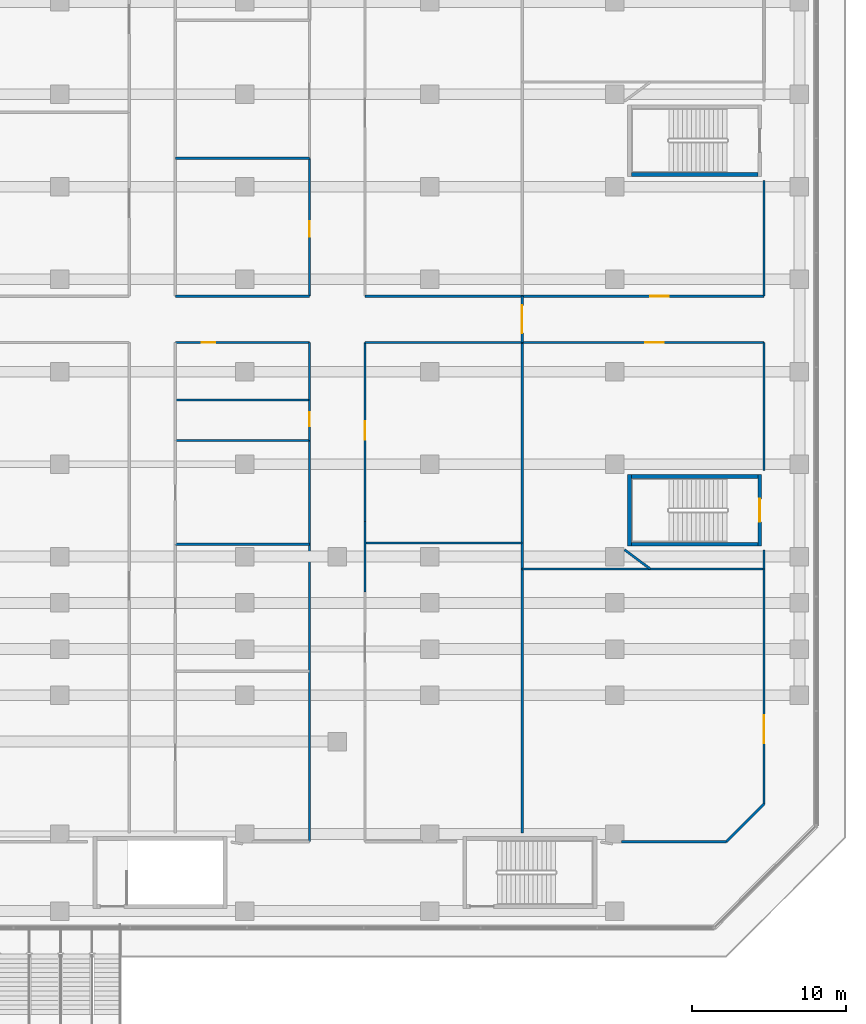
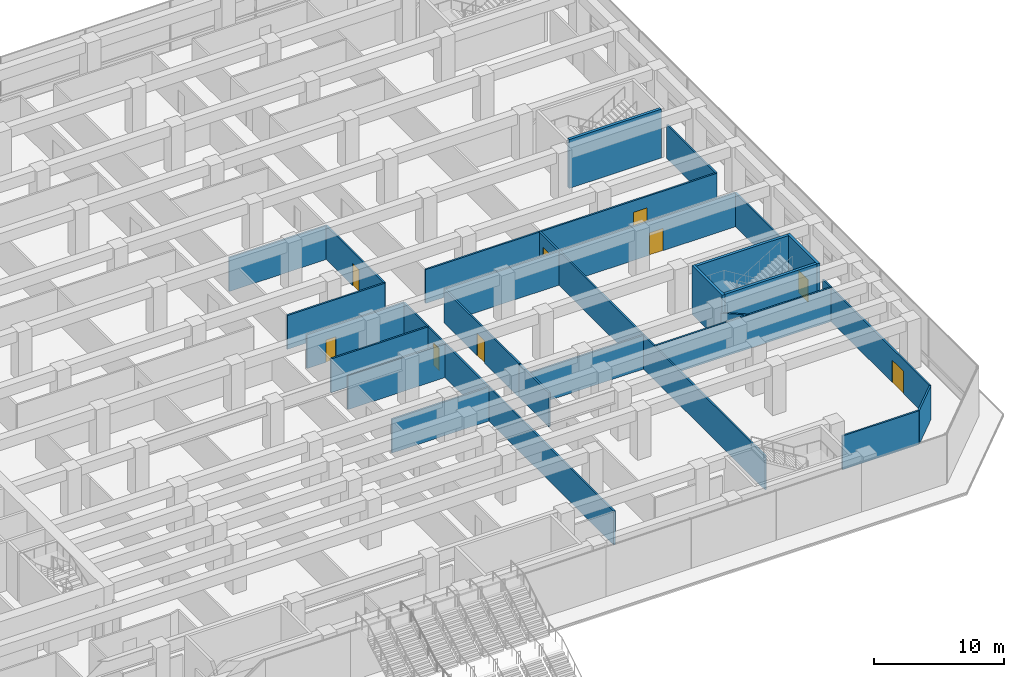
# One storey, part 30 of 40: 32 walls, 9 doors, 9 openings.
"""IFC4 building model written with IfcOpenShell, lengths in metres."""

from ifc_helpers import new_model, si_unit, direction, frame, frame_2d, origin, place, context, subcontext, project, spatial, rectangle, extrude, material, layer, layer_set, type_object, element, fill, save


model = new_model("IFC4")

# Units and contexts
model_context = context("Model", 3, precision=1e-05, world=origin(), true_north=direction((0.0, 1.0)))
body_context = subcontext(model_context, "Body", "Model", "MODEL_VIEW")
ifc_project = project(units=[si_unit("LENGTHUNIT", "METRE"), si_unit("AREAUNIT", "SQUARE_METRE"), si_unit("VOLUMEUNIT", "CUBIC_METRE"), si_unit("PLANEANGLEUNIT", "RADIAN"), si_unit("MASSUNIT", "GRAM", prefix="KILO")], contexts=[model_context])

# Site, building, storey
site_placement = place(None, origin())
site = spatial("IfcSite", under=ifc_project, at=site_placement, CompositionType="ELEMENT")
building_placement = place(site_placement, origin())
building = spatial("IfcBuilding", under=site, at=building_placement, Name="Welwitschia Terrace Campus", CompositionType="ELEMENT")
storey_placement = place(building_placement, frame((0.0, 0.0, 6.0)))
storey = spatial("IfcBuildingStorey", under=building, at=storey_placement, Name="L01", CompositionType="ELEMENT", Elevation=6.0)

# Wall
ifc_material_1 = material(Name="Concrete C50/60", Category="concrete")
ifc_layer_1 = layer(ifc_material_1, 0.25)
ifc_layer_set_1 = layer_set([ifc_layer_1], Name="Concrete C50/60")
wall_type_1 = type_object("IfcWallType", Name="Core wall 250 Concrete C50/60", PredefinedType="SHEAR", material=ifc_layer_set_1)
wall_1_placement = place(storey_placement, frame((84.97509765625, 14.675048828125, 0.0), z_axis=(0.0, 0.0, 1.0), x_axis=(0.0, 1.0, 0.0)))
element("IfcWall", 1, at=wall_1_placement, inside=storey, type_object=wall_type_1, Name="Core wall", PredefinedType="SHEAR", context=body_context, shape_type="SweptSolid", body=[
    extrude(rectangle(XDim=4.64990234375, YDim=0.25, at=frame_2d((2.324951171875, 0.0))), origin(), (0.0, 0.0, 1.0), 4.60009765625),
])

# Wall, opening, door
wall_2_placement = place(storey_placement, frame((93.425048828125, 19.324951171875, 0.0), z_axis=(0.0, 0.0, 1.0), x_axis=(0.0, -1.0, 0.0)))
wall_2 = element("IfcWall", 2, at=wall_2_placement, inside=storey, type_object=wall_type_1, Name="Core wall", PredefinedType="SHEAR", context=body_context, shape_type="SweptSolid", body=[
    extrude(rectangle(XDim=4.64990234375, YDim=0.25, at=frame_2d((2.324951171875, 0.0))), origin(), (0.0, 0.0, 1.0), 4.60009765625),
])
opening_1_placement = place(wall_2_placement, frame((1.574951171875, 0.0, 0.0)))
opening_1 = element("IfcOpeningElement", 3, at=opening_1_placement, cuts=wall_2, Name="Opening DS15", PredefinedType="OPENING", context=body_context, shape_type="SweptSolid", body=[
    extrude(rectangle(XDim=1.5, YDim=2.10009765625, at=frame_2d((0.75, 1.050048828125))), frame((0.0, 0.135009765625, 0.0), z_axis=(0.0, -1.0, 0.0), x_axis=(1.0, 0.0, 0.0)), (0.0, 0.0, 1.0), 0.27001953125),
])
ifc_material_2 = material(Name="Steel S275", Category="steel")
door_type_1 = type_object("IfcDoorType", Name="Core door DS15", OperationType="DOUBLE_DOOR_SINGLE_SWING", PredefinedType="DOOR", material=ifc_material_2)
door_1_placement = place(opening_1_placement, origin())
door_1 = element("IfcDoor", 4, at=door_1_placement, inside=storey, type_object=door_type_1, Name="Door P6", OperationType="DOUBLE_DOOR_SINGLE_SWING", OverallHeight=2.10009765625, OverallWidth=1.5, PredefinedType="DOOR", context=body_context, shape_type="SweptSolid", body=[
    extrude(rectangle(XDim=1.5, YDim=2.10009765625, at=frame_2d((0.75, 1.050048828125))), frame((0.0, 0.02490234375, 0.0), z_axis=(0.0, -1.0, 0.0), x_axis=(1.0, 0.0, 0.0)), (0.0, 0.0, 1.0), 0.050048828125),
])
fill(opening_1, door_1)

# Walls
for number, where, z_axis, x_axis, name in (
    (5, (85.10009765625, 14.800048828125, 0.0), (0.0, 0.0, 1.0), (1.0, 0.0, 0.0), "Core wall"),
    (6, (85.10009765625, 19.199951171875, 0.0), (0.0, 0.0, 1.0), (1.0, 0.0, 0.0), "Core wall"),
    (7, (85.10009765625, 38.800048828125, 0.0), (0.0, 0.0, 1.0), (1.0, 0.0, 0.0), "Core wall"),
):
    element("IfcWall", number, at=place(storey_placement, frame(where, z_axis=z_axis, x_axis=x_axis)), inside=storey, type_object=wall_type_1, Name=name, PredefinedType="SHEAR", context=body_context, shape_type="SweptSolid", body=[
        extrude(rectangle(XDim=8.199951171875, YDim=0.25, at=frame_2d((4.10009765625, 0.0))), origin(), (0.0, 0.0, 1.0), 4.60009765625),
    ])
ifc_material_3 = material(Name="Gypsum board on steel studs", Category="steel")
ifc_layer_2 = layer(ifc_material_3, 0.14990234375)
ifc_layer_set_2 = layer_set([ifc_layer_2], Name="Gypsum board on steel studs")
wall_type_2 = type_object("IfcWallType", Name="Corridor partition 150 EI 30", PredefinedType="PARTITIONING", material=ifc_layer_set_2)
for number, where, z_axis, x_axis, name in (
    (8, (55.5, 14.800048828125, 0.0), (0.0, 0.0, 1.0), (1.0, 0.0, 0.0), "Partition"),
    (9, (55.5, 21.5400390625, 0.0), (0.0, 0.0, 1.0), (1.0, 0.0, 0.0), "Partition"),
    (10, (55.5, 24.159912109375, 0.0), (0.0, 0.0, 1.0), (1.0, 0.0, 0.0), "Partition"),
    (11, (55.5, 30.89990234375, 0.0), (0.0, 0.0, 1.0), (1.0, 0.0, 0.0), "Partition"),
    (12, (55.5, 39.85009765625, 0.0), (0.0, 0.0, 1.0), (1.0, 0.0, 0.0), "Partition"),
):
    element("IfcWall", number, at=place(storey_placement, frame(where, z_axis=z_axis, x_axis=x_axis)), inside=storey, type_object=wall_type_2, Name=name, PredefinedType="PARTITIONING", context=body_context, shape_type="SweptSolid", body=[
        extrude(rectangle(XDim=8.699951171875, YDim=0.14990234375, at=frame_2d((4.35009765625, 0.0))), origin(), (0.0, 0.0, 1.0), 3.179931640625),
    ])
wall_3_placement = place(storey_placement, frame((64.199951171875, -4.5, 0.0), z_axis=(0.0, 0.0, 1.0), x_axis=(0.0, 1.0, 0.0)))
element("IfcWall", 13, at=wall_3_placement, inside=storey, type_object=wall_type_2, Name="Partition", PredefinedType="PARTITIONING", context=body_context, shape_type="SweptSolid", body=[
    extrude(rectangle(XDim=26.0400390625, YDim=0.14990234375, at=frame_2d((13.02001953125, 0.0))), origin(), (0.0, 0.0, 1.0), 3.179931640625),
])

# Wall, opening, door
wall_4_placement = place(storey_placement, frame((64.199951171875, 21.5400390625, 0.0), z_axis=(0.0, 0.0, 1.0), x_axis=(0.0, 1.0, 0.0)))
wall_4 = element("IfcWall", 14, at=wall_4_placement, inside=storey, type_object=wall_type_2, Name="Partition", PredefinedType="PARTITIONING", context=body_context, shape_type="SweptSolid", body=[
    extrude(rectangle(XDim=2.619873046875, YDim=0.14990234375, at=frame_2d((1.31005859375, 0.0))), origin(), (0.0, 0.0, 1.0), 3.179931640625),
])
opening_2_placement = place(wall_4_placement, frame((0.919921875, 0.0, 0.0)))
opening_2 = element("IfcOpeningElement", 15, at=opening_2_placement, cuts=wall_4, Name="Opening DI09", PredefinedType="OPENING", context=body_context, shape_type="SweptSolid", body=[
    extrude(rectangle(XDim=0.89990234375, YDim=2.10009765625, at=frame_2d((0.449951171875, 1.050048828125))), frame((0.0, 0.0849609375, 0.0), z_axis=(0.0, -1.0, 0.0), x_axis=(1.0, 0.0, 0.0)), (0.0, 0.0, 1.0), 0.169921875),
])
ifc_material_4 = material(Name="Timber veneered door", Category="wood")
door_type_2 = type_object("IfcDoorType", Name="Interior door DI09", OperationType="NOTDEFINED", PredefinedType="DOOR", material=ifc_material_4)
door_2_placement = place(opening_2_placement, origin())
door_2 = element("IfcDoor", 16, at=door_2_placement, inside=storey, type_object=door_type_2, Name="Door L01 078", OperationType="SINGLE_SWING_LEFT", OverallHeight=2.10009765625, OverallWidth=0.89990234375, PredefinedType="DOOR", context=body_context, shape_type="SweptSolid", body=[
    extrude(rectangle(XDim=0.89990234375, YDim=2.10009765625, at=frame_2d((0.449951171875, 1.050048828125))), frame((0.0, 0.02490234375, 0.0), z_axis=(0.0, -1.0, 0.0), x_axis=(1.0, 0.0, 0.0)), (0.0, 0.0, 1.0), 0.050048828125),
])
fill(opening_2, door_2)

# Wall
wall_5_placement = place(storey_placement, frame((64.199951171875, 24.159912109375, 0.0), z_axis=(0.0, 0.0, 1.0), x_axis=(0.0, 1.0, 0.0)))
element("IfcWall", 17, at=wall_5_placement, inside=storey, type_object=wall_type_2, Name="Partition", PredefinedType="PARTITIONING", context=body_context, shape_type="SweptSolid", body=[
    extrude(rectangle(XDim=3.739990234375, YDim=0.14990234375, at=frame_2d((1.8701171875, 0.0))), origin(), (0.0, 0.0, 1.0), 3.179931640625),
])

# Wall, opening, door
wall_6_placement = place(storey_placement, frame((64.199951171875, 27.89990234375, 0.0), z_axis=(0.0, 0.0, 1.0), x_axis=(-1.0, 0.0, 0.0)))
wall_6 = element("IfcWall", 18, at=wall_6_placement, inside=storey, type_object=wall_type_2, Name="Partition", PredefinedType="PARTITIONING", context=body_context, shape_type="SweptSolid", body=[
    extrude(rectangle(XDim=8.699951171875, YDim=0.14990234375, at=frame_2d((4.35009765625, 0.0))), origin(), (0.0, 0.0, 1.0), 3.179931640625),
])
opening_3_placement = place(wall_6_placement, frame((6.10009765625, 0.0, 0.0)))
opening_3 = element("IfcOpeningElement", 19, at=opening_3_placement, cuts=wall_6, Name="Opening DI09", PredefinedType="OPENING", context=body_context, shape_type="SweptSolid", body=[
    extrude(rectangle(XDim=0.89990234375, YDim=2.10009765625, at=frame_2d((0.449951171875, 1.050048828125))), frame((0.0, 0.0849609375, 0.0), z_axis=(0.0, -1.0, 0.0), x_axis=(1.0, 0.0, 0.0)), (0.0, 0.0, 1.0), 0.169921875),
])
door_3_placement = place(opening_3_placement, origin())
door_3 = element("IfcDoor", 20, at=door_3_placement, inside=storey, type_object=door_type_2, Name="Door L01 079", OperationType="SINGLE_SWING_RIGHT", OverallHeight=2.10009765625, OverallWidth=0.89990234375, PredefinedType="DOOR", context=body_context, shape_type="SweptSolid", body=[
    extrude(rectangle(XDim=0.89990234375, YDim=2.10009765625, at=frame_2d((0.449951171875, 1.050048828125))), frame((0.0, 0.02490234375, 0.0), z_axis=(0.0, -1.0, 0.0), x_axis=(1.0, 0.0, 0.0)), (0.0, 0.0, 1.0), 0.050048828125),
])
fill(opening_3, door_3)

wall_7_placement = place(storey_placement, frame((64.199951171875, 30.89990234375, 0.0), z_axis=(0.0, 0.0, 1.0), x_axis=(0.0, 1.0, 0.0)))
wall_7 = element("IfcWall", 21, at=wall_7_placement, inside=storey, type_object=wall_type_2, Name="Partition", PredefinedType="PARTITIONING", context=body_context, shape_type="SweptSolid", body=[
    extrude(rectangle(XDim=8.9501953125, YDim=0.14990234375, at=frame_2d((4.47509765625, 0.0))), origin(), (0.0, 0.0, 1.0), 3.179931640625),
])
opening_4_placement = place(wall_7_placement, frame((3.85009765625, 0.0, 0.0)))
opening_4 = element("IfcOpeningElement", 22, at=opening_4_placement, cuts=wall_7, Name="Opening DI10", PredefinedType="OPENING", context=body_context, shape_type="SweptSolid", body=[
    extrude(rectangle(XDim=1.0, YDim=2.10009765625, at=frame_2d((0.5, 1.050048828125))), frame((0.0, 0.0849609375, 0.0), z_axis=(0.0, -1.0, 0.0), x_axis=(1.0, 0.0, 0.0)), (0.0, 0.0, 1.0), 0.169921875),
])
ifc_material_5 = material(Name="Timber veneered door", Category="wood")
door_type_3 = type_object("IfcDoorType", Name="Interior door DI10", OperationType="NOTDEFINED", PredefinedType="DOOR", material=ifc_material_5)
door_4_placement = place(opening_4_placement, origin())
door_4 = element("IfcDoor", 23, at=door_4_placement, inside=storey, type_object=door_type_3, Name="Door L01 080", OperationType="SINGLE_SWING_LEFT", OverallHeight=2.10009765625, OverallWidth=1.0, PredefinedType="DOOR", context=body_context, shape_type="SweptSolid", body=[
    extrude(rectangle(XDim=1.0, YDim=2.10009765625, at=frame_2d((0.5, 1.050048828125))), frame((0.0, 0.02490234375, 0.0), z_axis=(0.0, -1.0, 0.0), x_axis=(1.0, 0.0, 0.0)), (0.0, 0.0, 1.0), 0.050048828125),
])
fill(opening_4, door_4)

# Walls
wall_8_placement = place(storey_placement, frame((67.800048828125, 11.7099609375, 0.0), z_axis=(0.0, 0.0, 1.0), x_axis=(0.0, 1.0, 0.0)))
element("IfcWall", 24, at=wall_8_placement, inside=storey, type_object=wall_type_2, Name="Partition", PredefinedType="PARTITIONING", context=body_context, shape_type="SweptSolid", body=[
    extrude(rectangle(XDim=4.580078125, YDim=0.14990234375, at=frame_2d((2.2900390625, 0.0))), origin(), (0.0, 0.0, 1.0), 3.179931640625),
])
wall_9_placement = place(storey_placement, frame((67.800048828125, 14.8798828125, 0.0), z_axis=(0.0, 0.0, 1.0), x_axis=(1.0, 0.0, 0.0)))
element("IfcWall", 25, at=wall_9_placement, inside=storey, type_object=wall_type_2, Name="Partition", PredefinedType="PARTITIONING", context=body_context, shape_type="SweptSolid", body=[
    extrude(rectangle(XDim=10.199951171875, YDim=0.14990234375, at=frame_2d((5.10009765625, 0.0))), origin(), (0.0, 0.0, 1.0), 3.179931640625),
])

# Wall, opening, door
wall_10_placement = place(storey_placement, frame((67.800048828125, 27.89990234375, 0.0), z_axis=(0.0, 0.0, 1.0), x_axis=(0.0, -1.0, 0.0)))
wall_10 = element("IfcWall", 26, at=wall_10_placement, inside=storey, type_object=wall_type_2, Name="Partition", PredefinedType="PARTITIONING", context=body_context, shape_type="SweptSolid", body=[
    extrude(rectangle(XDim=11.60986328125, YDim=0.14990234375, at=frame_2d((5.804931640625, 0.0))), origin(), (0.0, 0.0, 1.0), 3.179931640625),
])
opening_5_placement = place(wall_10_placement, frame((5.110107421875, 0.0, 0.0)))
opening_5 = element("IfcOpeningElement", 27, at=opening_5_placement, cuts=wall_10, Name="Opening DI12", PredefinedType="OPENING", context=body_context, shape_type="SweptSolid", body=[
    extrude(rectangle(XDim=1.199951171875, YDim=2.10009765625, at=frame_2d((0.60009765625, 1.050048828125))), frame((0.0, 0.0849609375, 0.0), z_axis=(0.0, -1.0, 0.0), x_axis=(1.0, 0.0, 0.0)), (0.0, 0.0, 1.0), 0.169921875),
])
ifc_material_6 = material(Name="Timber veneered door", Category="wood")
door_type_4 = type_object("IfcDoorType", Name="Interior door DI12", OperationType="NOTDEFINED", PredefinedType="DOOR", material=ifc_material_6)
door_5_placement = place(opening_5_placement, origin())
door_5 = element("IfcDoor", 28, at=door_5_placement, inside=storey, type_object=door_type_4, Name="Door L01 085", OperationType="SINGLE_SWING_RIGHT", OverallHeight=2.10009765625, OverallWidth=1.199951171875, PredefinedType="DOOR", context=body_context, shape_type="SweptSolid", body=[
    extrude(rectangle(XDim=1.199951171875, YDim=2.10009765625, at=frame_2d((0.60009765625, 1.050048828125))), frame((0.0, 0.02490234375, 0.0), z_axis=(0.0, -1.0, 0.0), x_axis=(1.0, 0.0, 0.0)), (0.0, 0.0, 1.0), 0.050048828125),
])
fill(opening_5, door_5)

# Walls
for number, where, z_axis, x_axis, name in (
    (29, (67.800048828125, 27.89990234375, 0.0), (0.0, 0.0, 1.0), (1.0, 0.0, 0.0), "Partition"),
    (30, (67.800048828125, 30.89990234375, 0.0), (0.0, 0.0, 1.0), (1.0, 0.0, 0.0), "Partition"),
):
    element("IfcWall", number, at=place(storey_placement, frame(where, z_axis=z_axis, x_axis=x_axis)), inside=storey, type_object=wall_type_2, Name=name, PredefinedType="PARTITIONING", context=body_context, shape_type="SweptSolid", body=[
        extrude(rectangle(XDim=10.199951171875, YDim=0.14990234375, at=frame_2d((5.10009765625, 0.0))), origin(), (0.0, 0.0, 1.0), 3.179931640625),
    ])
wall_11_placement = place(storey_placement, frame((78.0, -3.919921875, 0.0), z_axis=(0.0, 0.0, 1.0), x_axis=(0.0, 1.0, 0.0)))
element("IfcWall", 31, at=wall_11_placement, inside=storey, type_object=wall_type_2, Name="Partition", PredefinedType="PARTITIONING", context=body_context, shape_type="SweptSolid", body=[
    extrude(rectangle(XDim=31.81982421875, YDim=0.14990234375, at=frame_2d((15.909912109375, 0.0))), origin(), (0.0, 0.0, 1.0), 3.179931640625),
])
wall_12_placement = place(storey_placement, frame((78.0, 13.199951171875, 0.0), z_axis=(0.0, 0.0, 1.0), x_axis=(1.0, 0.0, 0.0)))
element("IfcWall", 32, at=wall_12_placement, inside=storey, type_object=wall_type_2, Name="Partition", PredefinedType="PARTITIONING", context=body_context, shape_type="SweptSolid", body=[
    extrude(rectangle(XDim=15.699951171875, YDim=0.14990234375, at=frame_2d((7.85009765625, 0.0))), origin(), (0.0, 0.0, 1.0), 3.179931640625),
])

# Wall, opening, door
wall_13_placement = place(storey_placement, frame((78.0, 30.89990234375, 0.0), z_axis=(0.0, 0.0, 1.0), x_axis=(0.0, -1.0, 0.0)))
wall_13 = element("IfcWall", 33, at=wall_13_placement, inside=storey, type_object=wall_type_2, Name="Partition", PredefinedType="PARTITIONING", context=body_context, shape_type="SweptSolid", body=[
    extrude(rectangle(XDim=3.0, YDim=0.14990234375, at=frame_2d((1.5, 0.0))), origin(), (0.0, 0.0, 1.0), 3.179931640625),
])
opening_6_placement = place(wall_13_placement, frame((0.60009765625, 0.0, 0.0)))
opening_6 = element("IfcOpeningElement", 34, at=opening_6_placement, cuts=wall_13, Name="Opening DF18", PredefinedType="OPENING", context=body_context, shape_type="SweptSolid", body=[
    extrude(rectangle(XDim=1.800048828125, YDim=2.10009765625, at=frame_2d((0.89990234375, 1.050048828125))), frame((0.0, 0.0849609375, 0.0), z_axis=(0.0, -1.0, 0.0), x_axis=(1.0, 0.0, 0.0)), (0.0, 0.0, 1.0), 0.169921875),
])
ifc_material_7 = material(Name="Timber veneered door", Category="wood")
door_type_5 = type_object("IfcDoorType", Name="Interior door DF18", OperationType="DOUBLE_DOOR_SINGLE_SWING", PredefinedType="DOOR", material=ifc_material_7)
door_6_placement = place(opening_6_placement, origin())
door_6 = element("IfcDoor", 35, at=door_6_placement, inside=storey, type_object=door_type_5, Name="Door L01 088", OperationType="SINGLE_SWING_LEFT", OverallHeight=2.10009765625, OverallWidth=1.800048828125, PredefinedType="DOOR", context=body_context, shape_type="SweptSolid", body=[
    extrude(rectangle(XDim=1.800048828125, YDim=2.10009765625, at=frame_2d((0.89990234375, 1.050048828125))), frame((0.0, 0.02490234375, 0.0), z_axis=(0.0, -1.0, 0.0), x_axis=(1.0, 0.0, 0.0)), (0.0, 0.0, 1.0), 0.050048828125),
])
fill(opening_6, door_6)

wall_14_placement = place(storey_placement, frame((78.0, 30.89990234375, 0.0), z_axis=(0.0, 0.0, 1.0), x_axis=(1.0, 0.0, 0.0)))
wall_14 = element("IfcWall", 36, at=wall_14_placement, inside=storey, type_object=wall_type_2, Name="Partition", PredefinedType="PARTITIONING", context=body_context, shape_type="SweptSolid", body=[
    extrude(rectangle(XDim=15.699951171875, YDim=0.14990234375, at=frame_2d((7.85009765625, 0.0))), origin(), (0.0, 0.0, 1.0), 3.179931640625),
])
opening_7_placement = place(wall_14_placement, frame((8.300048828125, 0.0, 0.0)))
opening_7 = element("IfcOpeningElement", 37, at=opening_7_placement, cuts=wall_14, Name="Opening DI12", PredefinedType="OPENING", context=body_context, shape_type="SweptSolid", body=[
    extrude(rectangle(XDim=1.199951171875, YDim=2.10009765625, at=frame_2d((0.60009765625, 1.050048828125))), frame((0.0, 0.0849609375, 0.0), z_axis=(0.0, -1.0, 0.0), x_axis=(1.0, 0.0, 0.0)), (0.0, 0.0, 1.0), 0.169921875),
])
door_7_placement = place(opening_7_placement, origin())
door_7 = element("IfcDoor", 38, at=door_7_placement, inside=storey, type_object=door_type_4, Name="Door L01 089", OperationType="SINGLE_SWING_RIGHT", OverallHeight=2.10009765625, OverallWidth=1.199951171875, PredefinedType="DOOR", context=body_context, shape_type="SweptSolid", body=[
    extrude(rectangle(XDim=1.199951171875, YDim=2.10009765625, at=frame_2d((0.60009765625, 1.050048828125))), frame((0.0, 0.02490234375, 0.0), z_axis=(0.0, -1.0, 0.0), x_axis=(1.0, 0.0, 0.0)), (0.0, 0.0, 1.0), 0.050048828125),
])
fill(opening_7, door_7)

# Walls
wall_15_placement = place(storey_placement, frame((84.4599609375, -4.5, 0.0), z_axis=(0.0, 0.0, 1.0), x_axis=(1.0, 0.0, 0.0)))
element("IfcWall", 39, at=wall_15_placement, inside=storey, type_object=wall_type_2, Name="Partition", PredefinedType="PARTITIONING", context=body_context, shape_type="SweptSolid", body=[
    extrude(rectangle(XDim=6.7900390625, YDim=0.14990234375, at=frame_2d((3.39501953125, 0.0))), origin(), (0.0, 0.0, 1.0), 3.179931640625),
])
wall_16_placement = place(storey_placement, frame((84.639892578125, 14.449951171875, 0.0), z_axis=(0.0, 0.0, 1.0), x_axis=(0.802316318144, -0.596899091673, 0.0)))
element("IfcWall", 40, at=wall_16_placement, inside=storey, type_object=wall_type_2, Name="Partition", PredefinedType="PARTITIONING", context=body_context, shape_type="SweptSolid", body=[
    extrude(rectangle(XDim=2.09423828125, YDim=0.14990234375, at=frame_2d((1.047119140625, 0.0))), origin(), (0.0, 0.0, 1.0), 3.179931640625),
])
wall_17_placement = place(storey_placement, frame((91.25, -4.5, 0.0), z_axis=(0.0, 0.0, 1.0), x_axis=(0.707106781187, 0.707106781187, 0.0)))
element("IfcWall", 41, at=wall_17_placement, inside=storey, type_object=wall_type_2, Name="Partition", PredefinedType="PARTITIONING", context=body_context, shape_type="SweptSolid", body=[
    extrude(rectangle(XDim=3.46484375, YDim=0.14990234375, at=frame_2d((1.732421875, 0.0))), origin(), (0.0, 0.0, 1.0), 3.179931640625),
])

# Wall, opening, door
wall_18_placement = place(storey_placement, frame((93.699951171875, 13.199951171875, 0.0), z_axis=(0.0, 0.0, 1.0), x_axis=(0.0, -1.0, 0.0)))
wall_18 = element("IfcWall", 42, at=wall_18_placement, inside=storey, type_object=wall_type_2, Name="Partition", PredefinedType="PARTITIONING", context=body_context, shape_type="SweptSolid", body=[
    extrude(rectangle(XDim=15.25, YDim=0.14990234375, at=frame_2d((7.625, 0.0))), origin(), (0.0, 0.0, 1.0), 3.179931640625),
])
opening_8_placement = place(wall_18_placement, frame((9.5, 0.0, 0.0)))
opening_8 = element("IfcOpeningElement", 43, at=opening_8_placement, cuts=wall_18, Name="Opening DI18", PredefinedType="OPENING", context=body_context, shape_type="SweptSolid", body=[
    extrude(rectangle(XDim=1.800048828125, YDim=2.10009765625, at=frame_2d((0.89990234375, 1.050048828125))), frame((0.0, 0.0849609375, 0.0), z_axis=(0.0, -1.0, 0.0), x_axis=(1.0, 0.0, 0.0)), (0.0, 0.0, 1.0), 0.169921875),
])
ifc_material_8 = material(Name="Timber veneered door", Category="wood")
door_type_6 = type_object("IfcDoorType", Name="Interior door DI18", OperationType="DOUBLE_DOOR_SINGLE_SWING", PredefinedType="DOOR", material=ifc_material_8)
door_8_placement = place(opening_8_placement, origin())
door_8 = element("IfcDoor", 44, at=door_8_placement, inside=storey, type_object=door_type_6, Name="Door L01 092", OperationType="SINGLE_SWING_LEFT", OverallHeight=2.10009765625, OverallWidth=1.800048828125, PredefinedType="DOOR", context=body_context, shape_type="SweptSolid", body=[
    extrude(rectangle(XDim=1.800048828125, YDim=2.10009765625, at=frame_2d((0.89990234375, 1.050048828125))), frame((0.0, 0.02490234375, 0.0), z_axis=(0.0, -1.0, 0.0), x_axis=(1.0, 0.0, 0.0)), (0.0, 0.0, 1.0), 0.050048828125),
])
fill(opening_8, door_8)

# Walls
wall_19_placement = place(storey_placement, frame((93.699951171875, 13.199951171875, 0.0), z_axis=(0.0, 0.0, 1.0), x_axis=(0.0, 1.0, 0.0)))
element("IfcWall", 45, at=wall_19_placement, inside=storey, type_object=wall_type_2, Name="Partition", PredefinedType="PARTITIONING", context=body_context, shape_type="SweptSolid", body=[
    extrude(rectangle(XDim=1.22998046875, YDim=0.14990234375, at=frame_2d((0.614990234375, 0.0))), origin(), (0.0, 0.0, 1.0), 3.179931640625),
])
wall_20_placement = place(storey_placement, frame((93.699951171875, 19.580078125, 0.0), z_axis=(0.0, 0.0, 1.0), x_axis=(0.0, 1.0, 0.0)))
element("IfcWall", 46, at=wall_20_placement, inside=storey, type_object=wall_type_2, Name="Partition", PredefinedType="PARTITIONING", context=body_context, shape_type="SweptSolid", body=[
    extrude(rectangle(XDim=8.31982421875, YDim=0.14990234375, at=frame_2d((4.159912109375, 0.0))), origin(), (0.0, 0.0, 1.0), 3.179931640625),
])

# Wall, opening, door
wall_21_placement = place(storey_placement, frame((93.699951171875, 27.89990234375, 0.0), z_axis=(0.0, 0.0, 1.0), x_axis=(-1.0, 0.0, 0.0)))
wall_21 = element("IfcWall", 47, at=wall_21_placement, inside=storey, type_object=wall_type_2, Name="Partition", PredefinedType="PARTITIONING", context=body_context, shape_type="SweptSolid", body=[
    extrude(rectangle(XDim=15.699951171875, YDim=0.14990234375, at=frame_2d((7.85009765625, 0.0))), origin(), (0.0, 0.0, 1.0), 3.179931640625),
])
opening_9_placement = place(wall_21_placement, frame((6.5, 0.0, 0.0)))
opening_9 = element("IfcOpeningElement", 48, at=opening_9_placement, cuts=wall_21, Name="Opening DI12", PredefinedType="OPENING", context=body_context, shape_type="SweptSolid", body=[
    extrude(rectangle(XDim=1.199951171875, YDim=2.10009765625, at=frame_2d((0.60009765625, 1.050048828125))), frame((0.0, 0.0849609375, 0.0), z_axis=(0.0, -1.0, 0.0), x_axis=(1.0, 0.0, 0.0)), (0.0, 0.0, 1.0), 0.169921875),
])
door_9_placement = place(opening_9_placement, origin())
door_9 = element("IfcDoor", 49, at=door_9_placement, inside=storey, type_object=door_type_4, Name="Door L01 093", OperationType="SINGLE_SWING_RIGHT", OverallHeight=2.10009765625, OverallWidth=1.199951171875, PredefinedType="DOOR", context=body_context, shape_type="SweptSolid", body=[
    extrude(rectangle(XDim=1.199951171875, YDim=2.10009765625, at=frame_2d((0.60009765625, 1.050048828125))), frame((0.0, 0.02490234375, 0.0), z_axis=(0.0, -1.0, 0.0), x_axis=(1.0, 0.0, 0.0)), (0.0, 0.0, 1.0), 0.050048828125),
])
fill(opening_9, door_9)

# Wall
wall_22_placement = place(storey_placement, frame((93.699951171875, 30.89990234375, 0.0), z_axis=(0.0, 0.0, 1.0), x_axis=(0.0, 1.0, 0.0)))
element("IfcWall", 50, at=wall_22_placement, inside=storey, type_object=wall_type_2, Name="Partition", PredefinedType="PARTITIONING", context=body_context, shape_type="SweptSolid", body=[
    extrude(rectangle(XDim=7.52001953125, YDim=0.14990234375, at=frame_2d((3.760009765625, 0.0))), origin(), (0.0, 0.0, 1.0), 3.179931640625),
])

save(model, "model.ifc")
